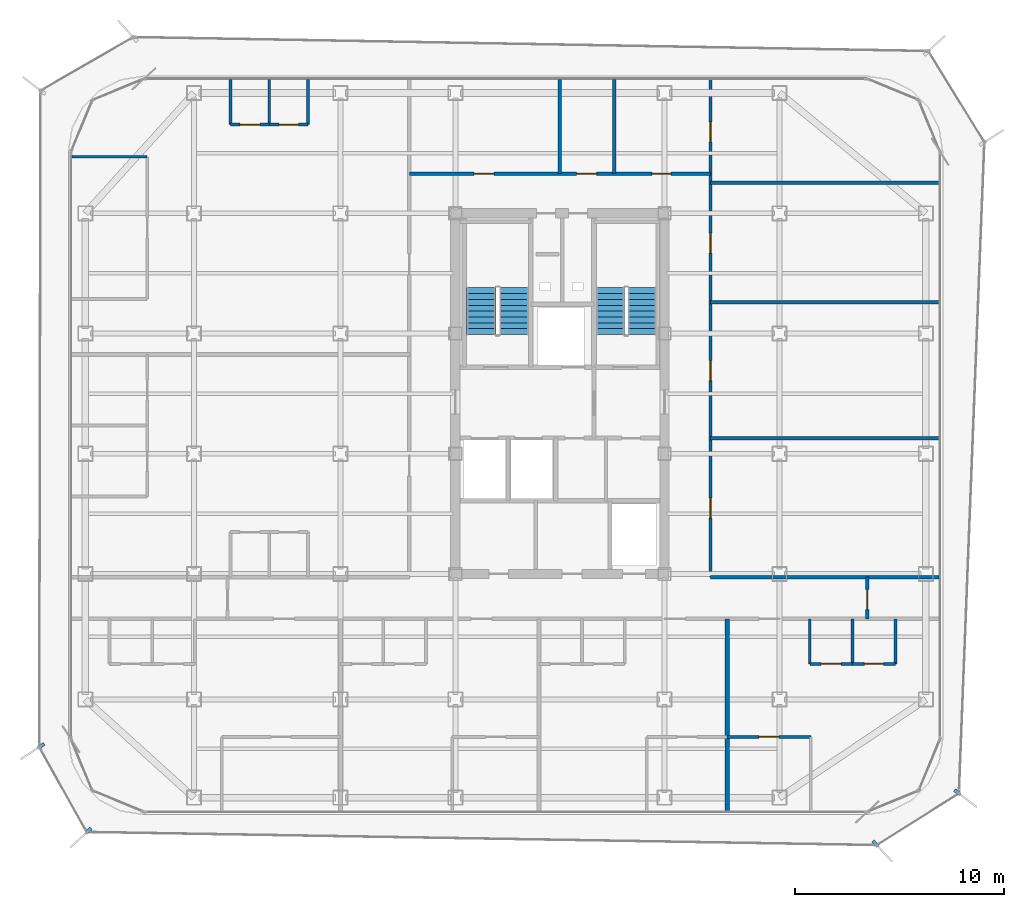
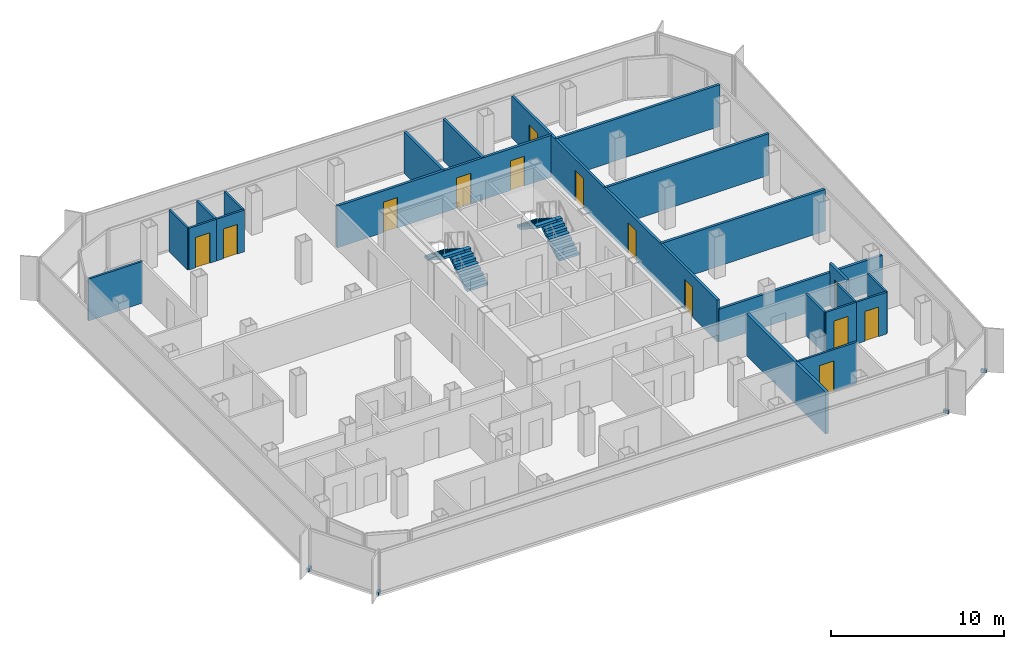
# One storey, part 12 of 16: 23 walls, 13 doors, 4 discrete accessories, 4 stair flights, 13 openings, 2 elements without a shape of their own.
"""IFC4 building model written with IfcOpenShell, lengths in metres."""

from ifc_helpers import new_model, si_unit, direction, frame, frame_2d, origin, origin_2d, place, context, subcontext, project, spatial, polyline, rectangle, outline, extrude, source, transform, mapped, material, layer, layer_set, type_object, element, fill, aggregate, save


model = new_model("IFC4")

# Units and contexts
model_context = context("Model", 3, precision=1e-05, world=origin(), true_north=direction((0.0, 1.0)))
body_context = subcontext(model_context, "Body", "Model", "MODEL_VIEW")
ifc_project = project(units=[si_unit("LENGTHUNIT", "METRE"), si_unit("AREAUNIT", "SQUARE_METRE"), si_unit("VOLUMEUNIT", "CUBIC_METRE"), si_unit("PLANEANGLEUNIT", "RADIAN"), si_unit("MASSUNIT", "GRAM", prefix="KILO")], contexts=[model_context])

# Site, building, storey
site_placement = place(None, origin())
site = spatial("IfcSite", under=ifc_project, at=site_placement, CompositionType="ELEMENT")
building_placement = place(site_placement, origin())
building = spatial("IfcBuilding", under=site, at=building_placement, Name="Kolveth Station Tower", CompositionType="ELEMENT")
storey_placement = place(building_placement, frame((0.0, 0.0, 206.0)))
storey = spatial("IfcBuildingStorey", under=building, at=storey_placement, Name="L58", CompositionType="ELEMENT", Elevation=206.0)

# Wall, opening, door
ifc_material_1 = material(Name="Moisture-resistant gypsum partition")
ifc_layer_1 = layer(ifc_material_1, 0.135009765625)
ifc_layer_set_1 = layer_set([ifc_layer_1], Name="Moisture-resistant gypsum partition")
wall_type_1 = type_object("IfcWallType", Name="Wall_IW-135", PredefinedType="PARTITIONING", material=ifc_layer_set_1)
wall_1_placement = place(storey_placement, frame((35.449951171875, 7.199951171875, 0.0), z_axis=(0.0, 0.0, 1.0), x_axis=(1.0, 0.0, 0.0)))
wall_1 = element("IfcWall", 1, at=wall_1_placement, inside=storey, type_object=wall_type_1, Name="L58 Partition Wall WL-L58-A4-IBHK", PredefinedType="PARTITIONING", context=body_context, shape_type="SweptSolid", body=[
    extrude(rectangle(XDim=2.050048828125, YDim=0.135009765625, at=frame_2d((1.02490234375, 0.0))), origin(), (0.0, 0.0, 1.0), 2.949951171875),
])
opening_1_placement = place(wall_1_placement, frame((0.544921875, 0.0, 0.0)))
opening_1 = element("IfcOpeningElement", 2, at=opening_1_placement, cuts=wall_1, Name="Opening ID1", PredefinedType="OPENING", context=body_context, shape_type="SweptSolid", body=[
    extrude(rectangle(XDim=0.949951171875, YDim=2.14990234375, at=frame_2d((0.47509765625, 1.074951171875))), frame((0.0, 0.077392578125, 0.0), z_axis=(0.0, -1.0, 0.0), x_axis=(1.0, 0.0, 0.0)), (0.0, 0.0, 1.0), 0.155029296875),
])
ifc_material_2 = material(Name="Acoustic hardwood leaf and aluminium frame", Category="wood")
door_type_1 = type_object("IfcDoorType", Name="Door_ID1", OperationType="NOTDEFINED", PredefinedType="DOOR", material=ifc_material_2)
door_1_placement = place(opening_1_placement, origin())
door_1 = element("IfcDoor", 3, at=door_1_placement, inside=storey, type_object=door_type_1, Name="Flat L58-A4 Kitchen Door", OperationType="SINGLE_SWING_LEFT", OverallHeight=2.14990234375, OverallWidth=0.949951171875, PredefinedType="DOOR", context=body_context, shape_type="SweptSolid", body=[
    extrude(rectangle(XDim=0.949951171875, YDim=2.14990234375, at=frame_2d((0.47509765625, 1.074951171875))), frame((0.0, 0.02490234375, 0.0), z_axis=(0.0, -1.0, 0.0), x_axis=(1.0, 0.0, 0.0)), (0.0, 0.0, 1.0), 0.050048828125),
])
fill(opening_1, door_1)

wall_2_placement = place(storey_placement, frame((37.5, 7.199951171875, 0.0), z_axis=(0.0, 0.0, 1.0), x_axis=(1.0, 0.0, 0.0)))
wall_2 = element("IfcWall", 4, at=wall_2_placement, inside=storey, type_object=wall_type_1, Name="L58 Partition Wall WL-L58-A4-IBHB", PredefinedType="PARTITIONING", context=body_context, shape_type="SweptSolid", body=[
    extrude(rectangle(XDim=2.050048828125, YDim=0.135009765625, at=frame_2d((1.02490234375, 0.0))), origin(), (0.0, 0.0, 1.0), 2.949951171875),
])
opening_2_placement = place(wall_2_placement, frame((0.56494140625, 0.0, 0.0)))
opening_2 = element("IfcOpeningElement", 5, at=opening_2_placement, cuts=wall_2, Name="Opening ID2", PredefinedType="OPENING", context=body_context, shape_type="SweptSolid", body=[
    extrude(rectangle(XDim=0.919921875, YDim=2.10009765625, at=frame_2d((0.4599609375, 1.050048828125))), frame((0.0, 0.077392578125, 0.0), z_axis=(0.0, -1.0, 0.0), x_axis=(1.0, 0.0, 0.0)), (0.0, 0.0, 1.0), 0.155029296875),
])
ifc_material_3 = material(Name="Moisture-resistant hardwood leaf", Category="wood")
door_type_2 = type_object("IfcDoorType", Name="Door_ID2", OperationType="NOTDEFINED", PredefinedType="DOOR", material=ifc_material_3)
door_2_placement = place(opening_2_placement, origin())
door_2 = element("IfcDoor", 6, at=door_2_placement, inside=storey, type_object=door_type_2, Name="Flat L58-A4 Bathroom Door", OperationType="SINGLE_SWING_RIGHT", OverallHeight=2.10009765625, OverallWidth=0.919921875, PredefinedType="DOOR", context=body_context, shape_type="SweptSolid", body=[
    extrude(rectangle(XDim=0.919921875, YDim=2.10009765625, at=frame_2d((0.4599609375, 1.050048828125))), frame((0.0, 0.02490234375, 0.0), z_axis=(0.0, -1.0, 0.0), x_axis=(1.0, 0.0, 0.0)), (0.0, 0.0, 1.0), 0.050048828125),
])
fill(opening_2, door_2)

# Walls
for number, where, z_axis, x_axis, name in (
    (7, (35.449951171875, 7.199951171875, 0.0), (0.0, 0.0, 1.0), (0.0, 1.0, 0.0), "L58 Partition Wall WL-L58-A4-IBV0"),
    (8, (37.5, 7.199951171875, 0.0), (0.0, 0.0, 1.0), (0.0, 1.0, 0.0), "L58 Partition Wall WL-L58-A4-IBV1"),
    (9, (39.550048828125, 7.199951171875, 0.0), (0.0, 0.0, 1.0), (0.0, 1.0, 0.0), "L58 Partition Wall WL-L58-A4-IBV2"),
):
    element("IfcWall", number, at=place(storey_placement, frame(where, z_axis=z_axis, x_axis=x_axis)), inside=storey, type_object=wall_type_1, Name=name, PredefinedType="PARTITIONING", context=body_context, shape_type="SweptSolid", body=[
        extrude(rectangle(XDim=2.150146484375, YDim=0.135009765625, at=frame_2d((1.0751953125, 0.0))), origin(), (0.0, 0.0, 1.0), 2.949951171875),
    ])

# Wall, opening, door
wall_3_placement = place(storey_placement, frame((31.5, 3.7099609375, 0.0), z_axis=(0.0, 0.0, 1.0), x_axis=(1.0, 0.0, 0.0)))
wall_3 = element("IfcWall", 10, at=wall_3_placement, inside=storey, type_object=wall_type_1, Name="L58 Partition Wall WL-L58-A4-BDH1", PredefinedType="PARTITIONING", context=body_context, shape_type="SweptSolid", body=[
    extrude(rectangle(XDim=3.9990234375, YDim=0.135009765625, at=frame_2d((1.99951171875, 0.0))), origin(), (0.0, 0.0, 1.0), 2.949951171875),
])
opening_3_placement = place(wall_3_placement, frame((1.52001953125, 0.0, 0.0)))
opening_3 = element("IfcOpeningElement", 11, at=opening_3_placement, cuts=wall_3, Name="Opening ID1", PredefinedType="OPENING", context=body_context, shape_type="SweptSolid", body=[
    extrude(rectangle(XDim=0.949951171875, YDim=2.14990234375, at=frame_2d((0.47509765625, 1.074951171875))), frame((0.0, 0.077392578125, 0.0), z_axis=(0.0, -1.0, 0.0), x_axis=(1.0, 0.0, 0.0)), (0.0, 0.0, 1.0), 0.155029296875),
])
door_3_placement = place(opening_3_placement, frame((0.949951171875, 0.0, 0.0), z_axis=(0.0, 0.0, 1.0), x_axis=(-1.0, 0.0, 0.0)))
door_3 = element("IfcDoor", 12, at=door_3_placement, inside=storey, type_object=door_type_1, Name="Flat L58-A4 Bedroom 1 Door", OperationType="SINGLE_SWING_LEFT", OverallHeight=2.14990234375, OverallWidth=0.949951171875, PredefinedType="DOOR", context=body_context, shape_type="SweptSolid", body=[
    extrude(rectangle(XDim=0.949951171875, YDim=2.14990234375, at=frame_2d((0.47509765625, 1.074951171875))), frame((0.0, 0.02490234375, 0.0), z_axis=(0.0, -1.0, 0.0), x_axis=(1.0, 0.0, 0.0)), (0.0, 0.0, 1.0), 0.050048828125),
])
fill(opening_3, door_3)

wall_4_placement = place(storey_placement, frame((7.75, 32.989990234375, 0.0), z_axis=(0.0, 0.0, 1.0), x_axis=(1.0, 0.0, 0.0)))
wall_4 = element("IfcWall", 13, at=wall_4_placement, inside=storey, type_object=wall_type_1, Name="L58 Partition Wall WL-L58-W2-IBHK", PredefinedType="PARTITIONING", context=body_context, shape_type="SweptSolid", body=[
    extrude(rectangle(XDim=1.85009765625, YDim=0.135009765625, at=frame_2d((0.925048828125, 0.0))), origin(), (0.0, 0.0, 1.0), 2.949951171875),
])
opening_4_placement = place(wall_4_placement, frame((0.445068359375, 0.0, 0.0)))
opening_4 = element("IfcOpeningElement", 14, at=opening_4_placement, cuts=wall_4, Name="Opening ID1", PredefinedType="OPENING", context=body_context, shape_type="SweptSolid", body=[
    extrude(rectangle(XDim=0.949951171875, YDim=2.14990234375, at=frame_2d((0.47509765625, 1.074951171875))), frame((0.0, 0.077392578125, 0.0), z_axis=(0.0, -1.0, 0.0), x_axis=(1.0, 0.0, 0.0)), (0.0, 0.0, 1.0), 0.155029296875),
])
door_4_placement = place(opening_4_placement, frame((0.949951171875, 0.0, 0.0), z_axis=(0.0, 0.0, 1.0), x_axis=(-1.0, 0.0, 0.0)))
door_4 = element("IfcDoor", 15, at=door_4_placement, inside=storey, type_object=door_type_1, Name="Penthouse Flat L58-W2 Kitchen Door", OperationType="SINGLE_SWING_RIGHT", OverallHeight=2.14990234375, OverallWidth=0.949951171875, PredefinedType="DOOR", context=body_context, shape_type="SweptSolid", body=[
    extrude(rectangle(XDim=0.949951171875, YDim=2.14990234375, at=frame_2d((0.47509765625, 1.074951171875))), frame((0.0, 0.02490234375, 0.0), z_axis=(0.0, -1.0, 0.0), x_axis=(1.0, 0.0, 0.0)), (0.0, 0.0, 1.0), 0.050048828125),
])
fill(opening_4, door_4)

wall_5_placement = place(storey_placement, frame((9.60009765625, 32.989990234375, 0.0), z_axis=(0.0, 0.0, 1.0), x_axis=(1.0, 0.0, 0.0)))
wall_5 = element("IfcWall", 16, at=wall_5_placement, inside=storey, type_object=wall_type_1, Name="L58 Partition Wall WL-L58-W2-IBHB", PredefinedType="PARTITIONING", context=body_context, shape_type="SweptSolid", body=[
    extrude(rectangle(XDim=1.849853515625, YDim=0.135009765625, at=frame_2d((0.9248046875, 0.0))), origin(), (0.0, 0.0, 1.0), 2.949951171875),
])
opening_5_placement = place(wall_5_placement, frame((0.465087890625, 0.0, 0.0)))
opening_5 = element("IfcOpeningElement", 17, at=opening_5_placement, cuts=wall_5, Name="Opening ID2", PredefinedType="OPENING", context=body_context, shape_type="SweptSolid", body=[
    extrude(rectangle(XDim=0.919921875, YDim=2.10009765625, at=frame_2d((0.4599609375, 1.050048828125))), frame((0.0, 0.077392578125, 0.0), z_axis=(0.0, -1.0, 0.0), x_axis=(1.0, 0.0, 0.0)), (0.0, 0.0, 1.0), 0.155029296875),
])
door_5_placement = place(opening_5_placement, frame((0.919921875, 0.0, 0.0), z_axis=(0.0, 0.0, 1.0), x_axis=(-1.0, 0.0, 0.0)))
door_5 = element("IfcDoor", 18, at=door_5_placement, inside=storey, type_object=door_type_2, Name="Penthouse Flat L58-W2 Bathroom Door", OperationType="SINGLE_SWING_LEFT", OverallHeight=2.10009765625, OverallWidth=0.919921875, PredefinedType="DOOR", context=body_context, shape_type="SweptSolid", body=[
    extrude(rectangle(XDim=0.919921875, YDim=2.10009765625, at=frame_2d((0.4599609375, 1.050048828125))), frame((0.0, 0.02490234375, 0.0), z_axis=(0.0, -1.0, 0.0), x_axis=(1.0, 0.0, 0.0)), (0.0, 0.0, 1.0), 0.050048828125),
])
fill(opening_5, door_5)

# Walls
for number, where, z_axis, x_axis, name in (
    (19, (7.75, 32.989990234375, 0.0), (0.0, 0.0, 1.0), (0.0, 1.0, 0.0), "L58 Partition Wall WL-L58-W2-IBV0"),
    (20, (9.60009765625, 32.989990234375, 0.0), (0.0, 0.0, 1.0), (0.0, 1.0, 0.0), "L58 Partition Wall WL-L58-W2-IBV1"),
    (21, (11.449951171875, 32.989990234375, 0.0), (0.0, 0.0, 1.0), (0.0, 1.0, 0.0), "L58 Partition Wall WL-L58-W2-IBV2"),
):
    element("IfcWall", number, at=place(storey_placement, frame(where, z_axis=z_axis, x_axis=x_axis)), inside=storey, type_object=wall_type_1, Name=name, PredefinedType="PARTITIONING", context=body_context, shape_type="SweptSolid", body=[
        extrude(rectangle(XDim=2.14990234375, YDim=0.135009765625, at=frame_2d((1.074951171875, 0.0))), origin(), (0.0, 0.0, 1.0), 2.949951171875),
    ])
wall_6_placement = place(storey_placement, frame((0.159912109375, 31.449951171875, 0.0), z_axis=(0.0, 0.0, 1.0), x_axis=(1.0, 0.0, 0.0)))
element("IfcWall", 22, at=wall_6_placement, inside=storey, type_object=wall_type_1, Name="L58 Partition Wall WL-L58-W2-BDHE", PredefinedType="PARTITIONING", context=body_context, shape_type="SweptSolid", body=[
    extrude(rectangle(XDim=3.60009765625, YDim=0.135009765625, at=frame_2d((1.800048828125, 0.0))), origin(), (0.0, 0.0, 1.0), 2.949951171875),
])
ifc_material_4 = material(Name="Acoustic double-stud gypsum partition")
ifc_layer_2 = layer(ifc_material_4, 0.1650390625)
ifc_layer_set_2 = layer_set([ifc_layer_2], Name="Acoustic double-stud gypsum partition")
wall_type_2 = type_object("IfcWallType", Name="Wall_IW-165", PredefinedType="PARTITIONING", material=ifc_layer_set_2)
wall_7_placement = place(storey_placement, frame((30.699951171875, 11.35009765625, 0.0), z_axis=(0.0, 0.0, 1.0), x_axis=(1.0, 0.0, 0.0)))
element("IfcWall", 23, at=wall_7_placement, inside=storey, type_object=wall_type_2, Name="L58 Partition Wall WL-L58-RSET", PredefinedType="PARTITIONING", context=body_context, shape_type="SweptSolid", body=[
    extrude(rectangle(XDim=7.5, YDim=0.1650390625, at=frame_2d((3.75, 0.0))), origin(), (0.0, 0.0, 1.0), 2.322998046875),
])

# Wall, opening, door
wall_8_placement = place(storey_placement, frame((38.199951171875, 9.35009765625, 0.0), z_axis=(0.0, 0.0, 1.0), x_axis=(0.0, 1.0, 0.0)))
wall_8 = element("IfcWall", 24, at=wall_8_placement, inside=storey, type_object=wall_type_2, Name="L58 Partition Wall WL-L58-RSEE", PredefinedType="PARTITIONING", context=body_context, shape_type="SweptSolid", body=[
    extrude(rectangle(XDim=2.0, YDim=0.1650390625, at=frame_2d((1.0, 0.0))), origin(), (0.0, 0.0, 1.0), 2.949951171875),
])
opening_6_placement = place(wall_8_placement, frame((0.449951171875, 0.0, 0.0)))
opening_6 = element("IfcOpeningElement", 25, at=opening_6_placement, cuts=wall_8, Name="Opening ID1", PredefinedType="OPENING", context=body_context, shape_type="SweptSolid", body=[
    extrude(rectangle(XDim=0.949951171875, YDim=2.14990234375, at=frame_2d((0.47509765625, 1.074951171875))), frame((0.0, 0.092529296875, 0.0), z_axis=(0.0, -1.0, 0.0), x_axis=(1.0, 0.0, 0.0)), (0.0, 0.0, 1.0), 0.18505859375),
])
door_6_placement = place(opening_6_placement, origin())
door_6 = element("IfcDoor", 26, at=door_6_placement, inside=storey, type_object=door_type_1, Name="L58 Hobby Study Door", OperationType="SINGLE_SWING_RIGHT", OverallHeight=2.14990234375, OverallWidth=0.949951171875, PredefinedType="DOOR", context=body_context, shape_type="SweptSolid", body=[
    extrude(rectangle(XDim=0.949951171875, YDim=2.14990234375, at=frame_2d((0.47509765625, 1.074951171875))), frame((0.0, 0.02490234375, 0.0), z_axis=(0.0, -1.0, 0.0), x_axis=(1.0, 0.0, 0.0)), (0.0, 0.0, 1.0), 0.050048828125),
])
fill(opening_6, door_6)

# Wall, openings, doors
wall_9_placement = place(storey_placement, frame((16.300048828125, 30.64990234375, 0.0), z_axis=(0.0, 0.0, 1.0), x_axis=(1.0, 0.0, 0.0)))
wall_9 = element("IfcWall", 27, at=wall_9_placement, inside=storey, type_object=wall_type_2, Name="L58 Partition Wall WL-L58-RN", PredefinedType="PARTITIONING", context=body_context, shape_type="SweptSolid", body=[
    extrude(rectangle(XDim=14.39990234375, YDim=0.1650390625, at=frame_2d((7.199951171875, 0.0))), origin(), (0.0, 0.0, 1.0), 2.949951171875),
])
opening_7_placement = place(wall_9_placement, frame((3.10009765625, 0.0, 0.0)))
opening_7 = element("IfcOpeningElement", 28, at=opening_7_placement, cuts=wall_9, Name="Opening ID1", PredefinedType="OPENING", context=body_context, shape_type="SweptSolid", body=[
    extrude(rectangle(XDim=0.949951171875, YDim=2.14990234375, at=frame_2d((0.47509765625, 1.074951171875))), frame((0.0, 0.092529296875, 0.0), z_axis=(0.0, -1.0, 0.0), x_axis=(1.0, 0.0, 0.0)), (0.0, 0.0, 1.0), 0.18505859375),
])
opening_8_placement = place(wall_9_placement, frame((8.0, 0.0, 0.0)))
opening_8 = element("IfcOpeningElement", 29, at=opening_8_placement, cuts=wall_9, Name="Opening ID1", PredefinedType="OPENING", context=body_context, shape_type="SweptSolid", body=[
    extrude(rectangle(XDim=0.949951171875, YDim=2.14990234375, at=frame_2d((0.47509765625, 1.074951171875))), frame((0.0, 0.092529296875, 0.0), z_axis=(0.0, -1.0, 0.0), x_axis=(1.0, 0.0, 0.0)), (0.0, 0.0, 1.0), 0.18505859375),
])
opening_9_placement = place(wall_9_placement, frame((11.60009765625, 0.0, 0.0)))
opening_9 = element("IfcOpeningElement", 30, at=opening_9_placement, cuts=wall_9, Name="Opening ID2", PredefinedType="OPENING", context=body_context, shape_type="SweptSolid", body=[
    extrude(rectangle(XDim=0.919921875, YDim=2.10009765625, at=frame_2d((0.4599609375, 1.050048828125))), frame((0.0, 0.092529296875, 0.0), z_axis=(0.0, -1.0, 0.0), x_axis=(1.0, 0.0, 0.0)), (0.0, 0.0, 1.0), 0.18505859375),
])
door_7_placement = place(opening_7_placement, origin())
door_7 = element("IfcDoor", 31, at=door_7_placement, inside=storey, type_object=door_type_1, Name="L58 Residents' Sky Lounge Door", OperationType="SINGLE_SWING_RIGHT", OverallHeight=2.14990234375, OverallWidth=0.949951171875, PredefinedType="DOOR", context=body_context, shape_type="SweptSolid", body=[
    extrude(rectangle(XDim=0.949951171875, YDim=2.14990234375, at=frame_2d((0.47509765625, 1.074951171875))), frame((0.0, 0.02490234375, 0.0), z_axis=(0.0, -1.0, 0.0), x_axis=(1.0, 0.0, 0.0)), (0.0, 0.0, 1.0), 0.050048828125),
])
fill(opening_7, door_7)
door_8_placement = place(opening_8_placement, origin())
door_8 = element("IfcDoor", 32, at=door_8_placement, inside=storey, type_object=door_type_1, Name="L58 Residents' Committee Room Door", OperationType="SINGLE_SWING_LEFT", OverallHeight=2.14990234375, OverallWidth=0.949951171875, PredefinedType="DOOR", context=body_context, shape_type="SweptSolid", body=[
    extrude(rectangle(XDim=0.949951171875, YDim=2.14990234375, at=frame_2d((0.47509765625, 1.074951171875))), frame((0.0, 0.02490234375, 0.0), z_axis=(0.0, -1.0, 0.0), x_axis=(1.0, 0.0, 0.0)), (0.0, 0.0, 1.0), 0.050048828125),
])
fill(opening_8, door_8)
door_9_placement = place(opening_9_placement, origin())
door_9 = element("IfcDoor", 33, at=door_9_placement, inside=storey, type_object=door_type_2, Name="L58 Accessible Residents' WC Door", OperationType="SINGLE_SWING_RIGHT", OverallHeight=2.10009765625, OverallWidth=0.919921875, PredefinedType="DOOR", context=body_context, shape_type="SweptSolid", body=[
    extrude(rectangle(XDim=0.919921875, YDim=2.10009765625, at=frame_2d((0.4599609375, 1.050048828125))), frame((0.0, 0.02490234375, 0.0), z_axis=(0.0, -1.0, 0.0), x_axis=(1.0, 0.0, 0.0)), (0.0, 0.0, 1.0), 0.050048828125),
])
fill(opening_9, door_9)

wall_10_placement = place(storey_placement, frame((30.699951171875, 11.35009765625, 0.0), z_axis=(0.0, 0.0, 1.0), x_axis=(0.0, 1.0, 0.0)))
wall_10 = element("IfcWall", 34, at=wall_10_placement, inside=storey, type_object=wall_type_2, Name="L58 Partition Wall WL-L58-RE", PredefinedType="PARTITIONING", context=body_context, shape_type="SweptSolid", body=[
    extrude(rectangle(XDim=23.789794921875, YDim=0.1650390625, at=frame_2d((11.89501953125, 0.0))), origin(), (0.0, 0.0, 1.0), 2.949951171875),
])
opening_10_placement = place(wall_10_placement, frame((2.824951171875, 0.0, 0.0)))
opening_10 = element("IfcOpeningElement", 35, at=opening_10_placement, cuts=wall_10, Name="Opening ID1", PredefinedType="OPENING", context=body_context, shape_type="SweptSolid", body=[
    extrude(rectangle(XDim=0.949951171875, YDim=2.14990234375, at=frame_2d((0.47509765625, 1.074951171875))), frame((0.0, 0.092529296875, 0.0), z_axis=(0.0, -1.0, 0.0), x_axis=(1.0, 0.0, 0.0)), (0.0, 0.0, 1.0), 0.18505859375),
])
opening_11_placement = place(wall_10_placement, frame((9.39990234375, 0.0, 0.0)))
opening_11 = element("IfcOpeningElement", 36, at=opening_11_placement, cuts=wall_10, Name="Opening ID1", PredefinedType="OPENING", context=body_context, shape_type="SweptSolid", body=[
    extrude(rectangle(XDim=0.949951171875, YDim=2.14990234375, at=frame_2d((0.47509765625, 1.074951171875))), frame((0.0, 0.092529296875, 0.0), z_axis=(0.0, -1.0, 0.0), x_axis=(1.0, 0.0, 0.0)), (0.0, 0.0, 1.0), 0.18505859375),
])
opening_12_placement = place(wall_10_placement, frame((15.5, 0.0, 0.0)))
opening_12 = element("IfcOpeningElement", 37, at=opening_12_placement, cuts=wall_10, Name="Opening ID1", PredefinedType="OPENING", context=body_context, shape_type="SweptSolid", body=[
    extrude(rectangle(XDim=0.949951171875, YDim=2.14990234375, at=frame_2d((0.47509765625, 1.074951171875))), frame((0.0, 0.092529296875, 0.0), z_axis=(0.0, -1.0, 0.0), x_axis=(1.0, 0.0, 0.0)), (0.0, 0.0, 1.0), 0.18505859375),
])
opening_13_placement = place(wall_10_placement, frame((20.820068359375, 0.0, 0.0)))
opening_13 = element("IfcOpeningElement", 38, at=opening_13_placement, cuts=wall_10, Name="Opening ID1", PredefinedType="OPENING", context=body_context, shape_type="SweptSolid", body=[
    extrude(rectangle(XDim=0.949951171875, YDim=2.14990234375, at=frame_2d((0.47509765625, 1.074951171875))), frame((0.0, 0.092529296875, 0.0), z_axis=(0.0, -1.0, 0.0), x_axis=(1.0, 0.0, 0.0)), (0.0, 0.0, 1.0), 0.18505859375),
])
door_10_placement = place(opening_10_placement, origin())
door_10 = element("IfcDoor", 39, at=door_10_placement, inside=storey, type_object=door_type_1, Name="L58 Quiet Reading Study E1 Door", OperationType="SINGLE_SWING_RIGHT", OverallHeight=2.14990234375, OverallWidth=0.949951171875, PredefinedType="DOOR", context=body_context, shape_type="SweptSolid", body=[
    extrude(rectangle(XDim=0.949951171875, YDim=2.14990234375, at=frame_2d((0.47509765625, 1.074951171875))), frame((0.0, 0.02490234375, 0.0), z_axis=(0.0, -1.0, 0.0), x_axis=(1.0, 0.0, 0.0)), (0.0, 0.0, 1.0), 0.050048828125),
])
fill(opening_10, door_10)
door_11_placement = place(opening_11_placement, origin())
door_11 = element("IfcDoor", 40, at=door_11_placement, inside=storey, type_object=door_type_1, Name="L58 Quiet Reading Study E2 Door", OperationType="SINGLE_SWING_LEFT", OverallHeight=2.14990234375, OverallWidth=0.949951171875, PredefinedType="DOOR", context=body_context, shape_type="SweptSolid", body=[
    extrude(rectangle(XDim=0.949951171875, YDim=2.14990234375, at=frame_2d((0.47509765625, 1.074951171875))), frame((0.0, 0.02490234375, 0.0), z_axis=(0.0, -1.0, 0.0), x_axis=(1.0, 0.0, 0.0)), (0.0, 0.0, 1.0), 0.050048828125),
])
fill(opening_11, door_11)
door_12_placement = place(opening_12_placement, origin())
door_12 = element("IfcDoor", 41, at=door_12_placement, inside=storey, type_object=door_type_1, Name="L58 Residents' Conference Room Door", OperationType="SINGLE_SWING_RIGHT", OverallHeight=2.14990234375, OverallWidth=0.949951171875, PredefinedType="DOOR", context=body_context, shape_type="SweptSolid", body=[
    extrude(rectangle(XDim=0.949951171875, YDim=2.14990234375, at=frame_2d((0.47509765625, 1.074951171875))), frame((0.0, 0.02490234375, 0.0), z_axis=(0.0, -1.0, 0.0), x_axis=(1.0, 0.0, 0.0)), (0.0, 0.0, 1.0), 0.050048828125),
])
fill(opening_12, door_12)
door_13_placement = place(opening_13_placement, origin())
door_13 = element("IfcDoor", 42, at=door_13_placement, inside=storey, type_object=door_type_1, Name="L58 Tea Pantry Door", OperationType="SINGLE_SWING_LEFT", OverallHeight=2.14990234375, OverallWidth=0.949951171875, PredefinedType="DOOR", context=body_context, shape_type="SweptSolid", body=[
    extrude(rectangle(XDim=0.949951171875, YDim=2.14990234375, at=frame_2d((0.47509765625, 1.074951171875))), frame((0.0, 0.02490234375, 0.0), z_axis=(0.0, -1.0, 0.0), x_axis=(1.0, 0.0, 0.0)), (0.0, 0.0, 1.0), 0.050048828125),
])
fill(opening_13, door_13)

# Walls
wall_11_placement = place(storey_placement, frame((38.199951171875, 11.35009765625, 0.0), z_axis=(0.0, 0.0, 1.0), x_axis=(1.0, 0.0, 0.0)))
element("IfcWall", 43, at=wall_11_placement, inside=storey, type_object=wall_type_2, Name="L58 Partition Wall WL-L58-ESTN", PredefinedType="PARTITIONING", context=body_context, shape_type="SweptSolid", body=[
    extrude(rectangle(XDim=3.43994140625, YDim=0.1650390625, at=frame_2d((1.719970703125, 0.0))), origin(), (0.0, 0.0, 1.0), 2.322998046875),
])
for number, where, z_axis, x_axis, name in (
    (44, (30.699951171875, 18.0, 0.0), (0.0, 0.0, 1.0), (1.0, 0.0, 0.0), "L58 Partition Wall WL-L58-REA-P1"),
    (45, (30.699951171875, 24.5, 0.0), (0.0, 0.0, 1.0), (1.0, 0.0, 0.0), "L58 Partition Wall WL-L58-REA-P2"),
    (46, (30.699951171875, 30.199951171875, 0.0), (0.0, 0.0, 1.0), (1.0, 0.0, 0.0), "L58 Partition Wall WL-L58-REA-P3"),
):
    element("IfcWall", number, at=place(storey_placement, frame(where, z_axis=z_axis, x_axis=x_axis)), inside=storey, type_object=wall_type_2, Name=name, PredefinedType="PARTITIONING", context=body_context, shape_type="SweptSolid", body=[
        extrude(rectangle(XDim=10.93994140625, YDim=0.1650390625, at=frame_2d((5.469970703125, 0.0))), origin(), (0.0, 0.0, 1.0), 2.949951171875),
    ])
for number, where, z_axis, x_axis, name in (
    (47, (23.5, 30.64990234375, 0.0), (0.0, 0.0, 1.0), (0.0, 1.0, 0.0), "L58 Partition Wall WL-L58-RN-P1"),
    (48, (26.10009765625, 30.64990234375, 0.0), (0.0, 0.0, 1.0), (0.0, 1.0, 0.0), "L58 Partition Wall WL-L58-RN-P2"),
):
    element("IfcWall", number, at=place(storey_placement, frame(where, z_axis=z_axis, x_axis=x_axis)), inside=storey, type_object=wall_type_2, Name=name, PredefinedType="PARTITIONING", context=body_context, shape_type="SweptSolid", body=[
        extrude(rectangle(XDim=4.489990234375, YDim=0.1650390625, at=frame_2d((2.2451171875, 0.0))), origin(), (0.0, 0.0, 1.0), 2.949951171875),
    ])
ifc_material_5 = material(Name="Acoustic fire-rated gypsum blockwork", Category="masonry")
ifc_layer_3 = layer(ifc_material_5, 0.199951171875)
ifc_layer_set_3 = layer_set([ifc_layer_3], Name="Acoustic fire-rated gypsum blockwork")
wall_type_3 = type_object("IfcWallType", Name="Wall_IW-200", PredefinedType="PARTITIONING", material=ifc_layer_set_3)
wall_12_placement = place(storey_placement, frame((31.5, 0.159912109375, 0.0), z_axis=(0.0, 0.0, 1.0), x_axis=(0.0, 1.0, 0.0)))
element("IfcWall", 49, at=wall_12_placement, inside=storey, type_object=wall_type_3, Name="L58 Partition Wall WL-L58-RSU-3", PredefinedType="PARTITIONING", context=body_context, shape_type="SweptSolid", body=[
    extrude(rectangle(XDim=9.190185546875, YDim=0.199951171875, at=frame_2d((4.59521484375, 0.0))), origin(), (0.0, 0.0, 1.0), 2.949951171875),
])

# Stair, stair flights
ifc_material_6 = material(Name="Concrete C40/50", Category="concrete")
stair_type_1 = type_object("IfcStairType", Name="Stair_ST1", PredefinedType="HALF_TURN_STAIR", material=ifc_material_6)
stair_1_placement = place(storey_placement, origin())
stair_1 = element("IfcStair", 50, at=stair_1_placement, inside=storey, type_object=stair_type_1, Name="L58 Tower Exit Stair ST1", PredefinedType="HALF_TURN_STAIR")
ifc_layer_4 = layer(ifc_material_6, 0.179931640625)
ifc_layer_set_4 = layer_set([ifc_layer_4], Name="Concrete C40/50")
stair_flight_type_1 = type_object("IfcStairFlightType", Name="Flight_ST1", PredefinedType="STRAIGHT", material=ifc_layer_set_4)
stair_flight_1_placement = place(storey_placement, frame((21.300048828125, 22.949951171875, 0.0), z_axis=(0.0, 0.0, 1.0), x_axis=(0.0, 1.0, 0.0)))
stair_flight_1 = element("IfcStairFlight", 51, at=stair_flight_1_placement, type_object=stair_flight_type_1, Name="ST1 flight 1", NumberOfRisers=9, NumberOfTreads=8, PredefinedType="STRAIGHT", RiserHeight=0.177777778, TreadLength=0.28, context=body_context, shape_type="SweptSolid", body=[
    extrude(outline(polyline([(0.0, 0.0), (0.0, 0.177734375), (0.280029296875, 0.177734375), (0.280029296875, 0.35546875), (0.56005859375, 0.35546875), (0.56005859375, 0.533447265625), (0.840087890625, 0.533447265625), (0.840087890625, 0.711181640625), (1.1201171875, 0.711181640625), (1.1201171875, 0.888916015625), (1.39990234375, 0.888916015625), (1.39990234375, 1.066650390625), (1.679931640625, 1.066650390625), (1.679931640625, 1.244384765625), (1.9599609375, 1.244384765625), (1.9599609375, 1.422119140625), (2.239990234375, 1.422119140625), (2.239990234375, 1.60009765625), (2.239990234375, 1.24462890625), (0.27978515625, 0.0), (0.0, 0.0)])), frame((0.0, 0.699951171875, 0.0), z_axis=(0.0, -1.0, 0.0), x_axis=(1.0, 0.0, 0.0)), (0.0, 0.0, 1.0), 1.39990234375),
])
stair_flight_2_placement = place(storey_placement, frame((19.739990234375, 25.18994140625, 1.60009765625), z_axis=(0.0, 0.0, 1.0), x_axis=(0.0, -1.0, 0.0)))
stair_flight_2 = element("IfcStairFlight", 52, at=stair_flight_2_placement, type_object=stair_flight_type_1, Name="ST1 flight 2", NumberOfRisers=9, NumberOfTreads=8, PredefinedType="STRAIGHT", RiserHeight=0.177777778, TreadLength=0.28, context=body_context, shape_type="SweptSolid", body=[
    extrude(outline(polyline([(0.0, 0.0), (0.0, 0.177734375), (0.280029296875, 0.177734375), (0.280029296875, 0.35546875), (0.56005859375, 0.35546875), (0.56005859375, 0.533447265625), (0.840087890625, 0.533447265625), (0.840087890625, 0.711181640625), (1.1201171875, 0.711181640625), (1.1201171875, 0.888916015625), (1.39990234375, 0.888916015625), (1.39990234375, 1.066650390625), (1.679931640625, 1.066650390625), (1.679931640625, 1.244384765625), (1.9599609375, 1.244384765625), (1.9599609375, 1.422119140625), (2.239990234375, 1.422119140625), (2.239990234375, 1.60009765625), (2.239990234375, 1.24462890625), (0.27978515625, 0.0), (0.0, 0.0)])), frame((0.0, 0.699951171875, 0.0), z_axis=(0.0, -1.0, 0.0), x_axis=(1.0, 0.0, 0.0)), (0.0, 0.0, 1.0), 1.39990234375),
])
aggregate(stair_1, [stair_flight_1, stair_flight_2])

stair_type_2 = type_object("IfcStairType", Name="Stair_ST2", PredefinedType="HALF_TURN_STAIR", material=ifc_material_6)
stair_2_placement = place(storey_placement, origin())
stair_2 = element("IfcStair", 53, at=stair_2_placement, inside=storey, type_object=stair_type_2, Name="L58 Tower Exit Stair ST2", PredefinedType="HALF_TURN_STAIR")
ifc_layer_5 = layer(ifc_material_6, 0.179931640625)
ifc_layer_set_5 = layer_set([ifc_layer_5], Name="Concrete C40/50")
stair_flight_type_2 = type_object("IfcStairFlightType", Name="Flight_ST2", PredefinedType="STRAIGHT", material=ifc_layer_set_5)
stair_flight_3_placement = place(storey_placement, frame((27.425048828125, 22.949951171875, 0.0), z_axis=(0.0, 0.0, 1.0), x_axis=(0.0, 1.0, 0.0)))
stair_flight_3 = element("IfcStairFlight", 54, at=stair_flight_3_placement, type_object=stair_flight_type_2, Name="ST2 flight 1", NumberOfRisers=9, NumberOfTreads=8, PredefinedType="STRAIGHT", RiserHeight=0.177777778, TreadLength=0.28, context=body_context, shape_type="SweptSolid", body=[
    extrude(outline(polyline([(0.0, 0.0), (0.0, 0.177734375), (0.280029296875, 0.177734375), (0.280029296875, 0.35546875), (0.56005859375, 0.35546875), (0.56005859375, 0.533447265625), (0.840087890625, 0.533447265625), (0.840087890625, 0.711181640625), (1.1201171875, 0.711181640625), (1.1201171875, 0.888916015625), (1.39990234375, 0.888916015625), (1.39990234375, 1.066650390625), (1.679931640625, 1.066650390625), (1.679931640625, 1.244384765625), (1.9599609375, 1.244384765625), (1.9599609375, 1.422119140625), (2.239990234375, 1.422119140625), (2.239990234375, 1.60009765625), (2.239990234375, 1.24462890625), (0.27978515625, 0.0), (0.0, 0.0)])), frame((0.0, 0.675048828125, 0.0), z_axis=(0.0, -1.0, 0.0), x_axis=(1.0, 0.0, 0.0)), (0.0, 0.0, 1.0), 1.35009765625),
])
stair_flight_4_placement = place(storey_placement, frame((25.9150390625, 25.18994140625, 1.60009765625), z_axis=(0.0, 0.0, 1.0), x_axis=(0.0, -1.0, 0.0)))
stair_flight_4 = element("IfcStairFlight", 55, at=stair_flight_4_placement, type_object=stair_flight_type_2, Name="ST2 flight 2", NumberOfRisers=9, NumberOfTreads=8, PredefinedType="STRAIGHT", RiserHeight=0.177777778, TreadLength=0.28, context=body_context, shape_type="SweptSolid", body=[
    extrude(outline(polyline([(0.0, 0.0), (0.0, 0.177734375), (0.280029296875, 0.177734375), (0.280029296875, 0.35546875), (0.56005859375, 0.35546875), (0.56005859375, 0.533447265625), (0.840087890625, 0.533447265625), (0.840087890625, 0.711181640625), (1.1201171875, 0.711181640625), (1.1201171875, 0.888916015625), (1.39990234375, 0.888916015625), (1.39990234375, 1.066650390625), (1.679931640625, 1.066650390625), (1.679931640625, 1.244384765625), (1.9599609375, 1.244384765625), (1.9599609375, 1.422119140625), (2.239990234375, 1.422119140625), (2.239990234375, 1.60009765625), (2.239990234375, 1.24462890625), (0.27978515625, 0.0), (0.0, 0.0)])), frame((0.0, 0.675048828125, 0.0), z_axis=(0.0, -1.0, 0.0), x_axis=(1.0, 0.0, 0.0)), (0.0, 0.0, 1.0), 1.35009765625),
])
aggregate(stair_2, [stair_flight_3, stair_flight_4])

# Discrete accessories
ifc_material_7 = material(Name="Steel S355", Category="steel")
discrete_accessory_type = type_object("IfcDiscreteAccessoryType", Name="Bracket_BK1", PredefinedType="BRACKET", material=ifc_material_7)
shared_shape = source(origin(), body_context, "Body", "SweptSolid", [
    extrude(rectangle(XDim=0.35009765625, YDim=0.159912109375, at=origin_2d()), origin(), (0.0, 0.0, 1.0), 0.219970703125),
])
for number, where, z_axis, x_axis, name in (
    (56, (38.589111328125, -1.39892578125, -0.06005859375), (0.0, 0.0, 1.0), (0.680465121782, -0.732780470562, 0.0), "L58 Double-Skin Radial Tie Bracket 1"),
    (57, (42.509033203125, 1.05908203125, -0.06005859375), (0.0, 0.0, 1.0), (0.793140794136, -0.609038324474, 0.0), "L58 Double-Skin Radial Tie Bracket 2"),
    (58, (-1.31298828125, 3.27587890625, -0.06005859375), (0.0, 0.0, 1.0), (-0.839525049921, -0.543320982988, 0.0), "L58 Double-Skin Radial Tie Bracket 7"),
    (59, (0.950927734375, -0.780029296875, -0.06005859375), (0.0, 0.0, 1.0), (-0.734559410853, -0.678544377272, 0.0), "L58 Double-Skin Radial Tie Bracket 8"),
):
    element("IfcDiscreteAccessory", number, at=place(storey_placement, frame(where, z_axis=z_axis, x_axis=x_axis)), inside=storey, type_object=discrete_accessory_type, Name=name, PredefinedType="BRACKET", context=body_context, shape_type="MappedRepresentation", body=[
        mapped(shared_shape, transform((0.0, 0.0, 0.0), x_axis=(1.0, 0.0, 0.0), y_axis=(0.0, 1.0, 0.0), z_axis=(0.0, 0.0, 1.0), scale=1.0)),
    ])

save(model, "model.ifc")
